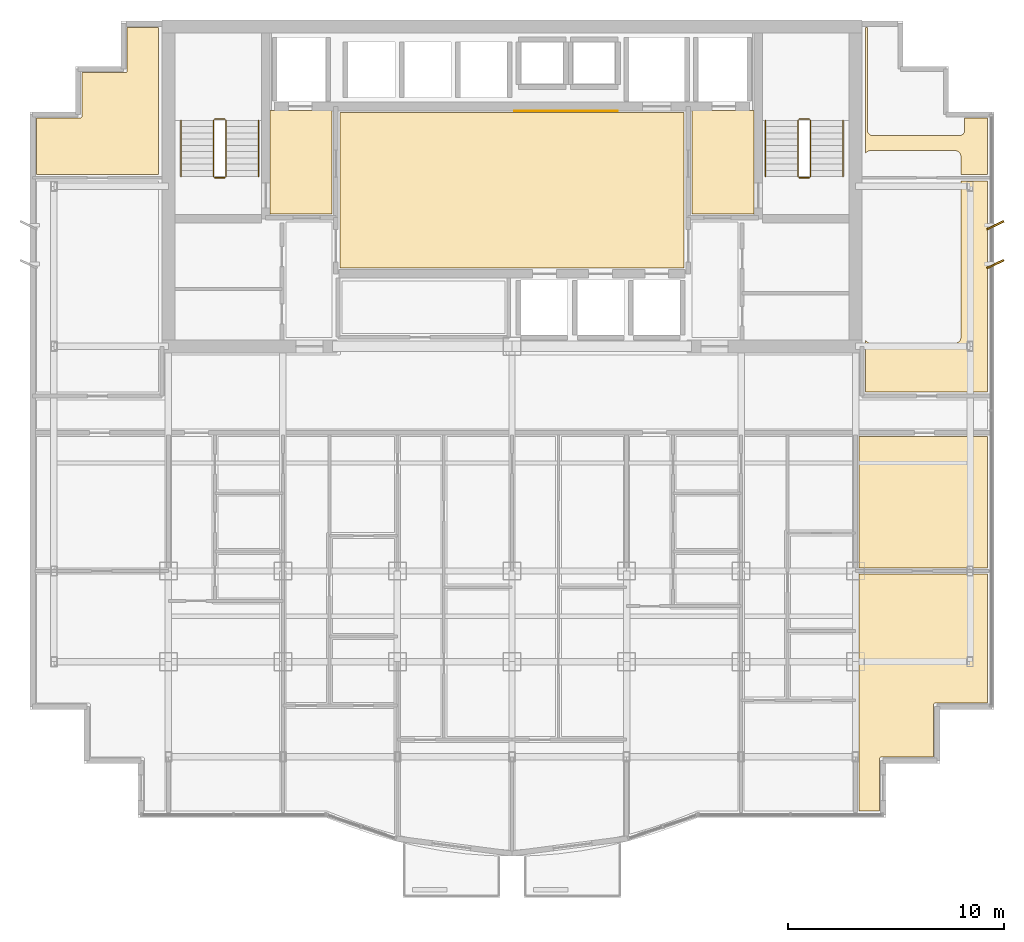
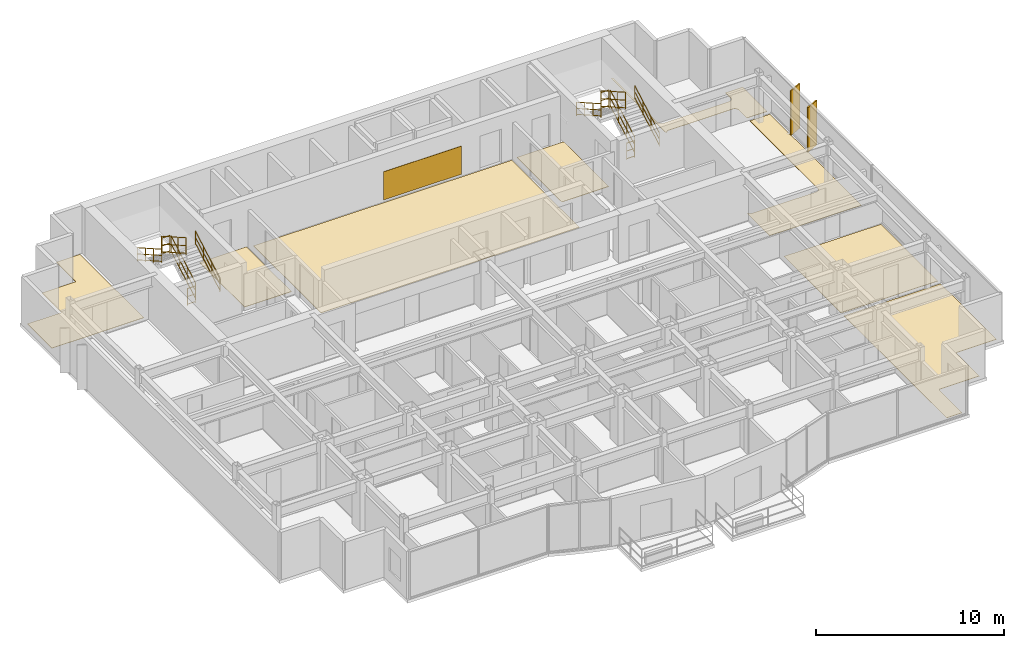
# One storey, part 13 of 13: 12 railings, 9 coverings, 2 shading devices.
"""IFC4 building model written with IfcOpenShell, lengths in metres."""

import ifcopenshell
import ifcopenshell.guid

model = None  # the IFC model being written
_history = None  # IfcOwnerHistory: only IFC2X3 demands one
_inside = {}  # id of a spatial element -> (the spatial element, [elements in it])
_under = {}  # id of a project, library or spatial element -> (it, [spatial elements below it])
_declared = {}  # id of a project -> (the project, [libraries it declares])
_typed = {}  # id of a type object -> (the type object, [elements of that type])
_made_of = {}  # id of a material, layer set ... -> (it, [elements and type objects made of it])


def new_model(schema):
    """Start an empty IFC model of exactly this schema.

    Asked for "IFC4X3", IfcOpenShell would pick the latest addendum, in which some entities
    have other attributes; the version numbers below select the first issue.
    IFC2X3 requires an IfcOwnerHistory on every rooted entity: one is made here for all.
    """
    global model, _history
    if schema == "IFC4X3":
        model = ifcopenshell.file(schema_version=(4, 3, 0, 0))
    else:
        model = ifcopenshell.file(schema=schema)
    _inside.clear()
    _under.clear()
    _declared.clear()
    _typed.clear()
    _made_of.clear()
    _history = None
    if model.schema == "IFC2X3":
        org = make("IfcOrganization", Name="unknown")
        user = make(
            "IfcPersonAndOrganization",
            ThePerson=make("IfcPerson", FamilyName="unknown"),
            TheOrganization=org,
        )
        app = make(
            "IfcApplication",
            ApplicationDeveloper=org,
            Version="unknown",
            ApplicationFullName="unknown",
            ApplicationIdentifier="unknown",
        )
        _history = make(
            "IfcOwnerHistory",
            OwningUser=user,
            OwningApplication=app,
            ChangeAction="ADDED",
            CreationDate=0,
        )
    return model


def make(cls, **values):
    """One entity of the class cls with the attributes given. An attribute that is None is left unset."""
    return model.create_entity(
        cls, **{name: value for name, value in values.items() if value is not None}
    )


def rooted(cls, **values):
    """An entity with a GlobalId (a new one), such as an element, a storey or a relation."""
    return make(cls, GlobalId=ifcopenshell.guid.new(), OwnerHistory=_history, **values)


def si_unit(unit_type, name, prefix=None):
    """IfcSIUnit, for example si_unit("LENGTHUNIT", "METRE", prefix="MILLI")."""
    return make("IfcSIUnit", UnitType=unit_type, Prefix=prefix, Name=name)


def assignment(units):
    """IfcUnitAssignment: the units of a project."""
    return None if units is None else make("IfcUnitAssignment", Units=units)


def point(xyz):
    """IfcCartesianPoint."""
    return None if xyz is None else make("IfcCartesianPoint", Coordinates=xyz)


def direction(xyz):
    """IfcDirection."""
    return None if xyz is None else make("IfcDirection", DirectionRatios=xyz)


def frame(location, z_axis=None, x_axis=None):
    """IfcAxis2Placement3D, a coordinate frame: its origin and axes. An axis left out is left unset."""
    return make(
        "IfcAxis2Placement3D",
        Location=point(location),
        Axis=direction(z_axis),
        RefDirection=direction(x_axis),
    )


def frame_2d(location, x_axis=None):
    """IfcAxis2Placement2D, a coordinate frame in the plane: its origin and x axis."""
    return make(
        "IfcAxis2Placement2D", Location=point(location), RefDirection=direction(x_axis)
    )


def origin():
    """The frame at (0, 0, 0) with its axes left unset."""
    return frame((0.0, 0.0, 0.0))


def origin_2d():
    """The frame at (0, 0) in the plane with its x axis left unset."""
    return frame_2d((0.0, 0.0))


def place(relative_to, where):
    """IfcLocalPlacement: puts the frame where relative to a parent placement (None: the world)."""
    return make(
        "IfcLocalPlacement", PlacementRelTo=relative_to, RelativePlacement=where
    )


def context(
    kind, dimensions, precision=None, world=None, true_north=None, identifier=None
):
    """IfcGeometricRepresentationContext, for example the 3D "Model" context."""
    return make(
        "IfcGeometricRepresentationContext",
        ContextIdentifier=identifier,
        ContextType=kind,
        CoordinateSpaceDimension=dimensions,
        Precision=precision,
        WorldCoordinateSystem=world,
        TrueNorth=true_north,
    )


def subcontext(parent, identifier, kind, view, scale=None):
    """IfcGeometricRepresentationSubContext, for example "Body" below "Model"."""
    return make(
        "IfcGeometricRepresentationSubContext",
        ContextIdentifier=identifier,
        ContextType=kind,
        ParentContext=parent,
        TargetScale=scale,
        TargetView=view,
    )


def project(units=None, contexts=None):
    """IfcProject with its units and contexts."""
    return rooted(
        "IfcProject",
        Name="project",
        RepresentationContexts=contexts,
        UnitsInContext=assignment(units),
    )


def spatial(cls, under=None, at=None, **own):
    """A site, building, storey or space (cls), placed at a placement, below another one or the project."""
    s = rooted(cls, ObjectPlacement=at, **own)
    if under is not None:
        _under.setdefault(under.id(), (under, []))[1].append(s)
    return s


def polyline(points):
    """IfcPolyline through the points."""
    return make("IfcPolyline", Points=[point(p) for p in points])


def profile(cls, at=None, kind="AREA", **sizes):
    """A parametric profile (cls). Its sizes go by their IFC names, for example OverallWidth=200.0."""
    return make(cls, ProfileType=kind, Position=at, **sizes)


def rectangle(**sizes):
    """IfcRectangleProfileDef."""
    return profile("IfcRectangleProfileDef", **sizes)


def circle(**sizes):
    """IfcCircleProfileDef."""
    return profile("IfcCircleProfileDef", **sizes)


def outline(outer, holes=None, kind="AREA"):
    """IfcArbitraryClosedProfileDef: a profile drawn as a closed curve; with holes, ...WithVoids."""
    if holes is None:
        return make("IfcArbitraryClosedProfileDef", ProfileType=kind, OuterCurve=outer)
    return make(
        "IfcArbitraryProfileDefWithVoids",
        ProfileType=kind,
        OuterCurve=outer,
        InnerCurves=holes,
    )


def extrude(swept, where, along, depth):
    """IfcExtrudedAreaSolid: the profile swept, set in the frame where, extruded along a direction by depth."""
    return make(
        "IfcExtrudedAreaSolid",
        SweptArea=swept,
        Position=where,
        ExtrudedDirection=direction(along),
        Depth=depth,
    )


def shape(context_of_items, identifier, shape_type, items):
    """IfcShapeRepresentation: the items that make up one representation, for example the "Body"."""
    return make(
        "IfcShapeRepresentation",
        ContextOfItems=context_of_items,
        RepresentationIdentifier=identifier,
        RepresentationType=shape_type,
        Items=items,
    )


def source(mapping_origin, context_of_items, identifier, shape_type, items):
    """IfcRepresentationMap: a shape defined once, which mapped items show again and again."""
    return make(
        "IfcRepresentationMap",
        MappingOrigin=mapping_origin,
        MappedRepresentation=shape(context_of_items, identifier, shape_type, items),
    )


def transform(
    local_origin,
    x_axis=None,
    y_axis=None,
    z_axis=None,
    scale=None,
    scale2=None,
    scale3=None,
    uniform=True,
):
    """IfcCartesianTransformationOperator3D, or its non-uniform kind. x_axis, y_axis, z_axis: its Axis1, 2, 3."""
    if uniform:
        return make(
            "IfcCartesianTransformationOperator3D",
            Axis1=direction(x_axis),
            Axis2=direction(y_axis),
            LocalOrigin=point(local_origin),
            Scale=scale,
            Axis3=direction(z_axis),
        )
    return make(
        "IfcCartesianTransformationOperator3DnonUniform",
        Axis1=direction(x_axis),
        Axis2=direction(y_axis),
        LocalOrigin=point(local_origin),
        Scale=scale,
        Axis3=direction(z_axis),
        Scale2=scale2,
        Scale3=scale3,
    )


def mapped(mapping_source, mapping_target):
    """IfcMappedItem: shows the shape of a source again, moved by a transform."""
    return make(
        "IfcMappedItem", MappingSource=mapping_source, MappingTarget=mapping_target
    )


def material(Name=None, Category=None):
    """IfcMaterial."""
    return make("IfcMaterial", Name=Name, Category=Category)


def layer(
    of_material, thickness, ventilated=None, Name=None, Category=None, Priority=None
):
    """IfcMaterialLayer: one layer of a wall or slab, of a material (None: an air gap)."""
    return make(
        "IfcMaterialLayer",
        Material=of_material,
        LayerThickness=thickness,
        IsVentilated=ventilated,
        Name=Name,
        Category=Category,
        Priority=Priority,
    )


def layer_set(layers, Name=None):
    """IfcMaterialLayerSet."""
    return make("IfcMaterialLayerSet", MaterialLayers=layers, LayerSetName=Name)


def made_of(thing, what):
    """Note that an element or type object is made of a material, layer set ...; save() writes the relation."""
    if what is not None:
        _made_of.setdefault(what.id(), (what, []))[1].append(thing)
    return thing


def type_object(cls, material=None, **own):
    """A type object (cls), such as IfcWallType, which elements share."""
    return made_of(rooted(cls, **own), material)


def element(
    cls,
    number,
    at=None,
    inside=None,
    cuts=None,
    type_object=None,
    material=None,
    context=None,
    identifier="Body",
    shape_type=None,
    held_by="IfcProductDefinitionShape",
    body=None,
    shapes=None,
    **own,
):
    """One element of the class cls, such as IfcWall. Its Tag is "e" and its number.

    at: its placement. inside: the storey or other place that contains it. cuts: it is an
    opening in that element (IfcRelVoidsElement). A single representation is given by context,
    identifier, shape_type and body (its items); several are given by shapes. held_by: the class
    of the entity that holds the representations. save() writes the other relations.
    """
    e = rooted(cls, Tag="e%d" % number, ObjectPlacement=at, **own)
    if body is not None:
        shapes = [shape(context, identifier, shape_type, body)]
    if shapes is not None:
        e.Representation = make(held_by, Representations=shapes)
    if inside is not None:
        _inside.setdefault(inside.id(), (inside, []))[1].append(e)
    if cuts is not None:
        rooted(
            "IfcRelVoidsElement", RelatingBuildingElement=cuts, RelatedOpeningElement=e
        )
    if type_object is not None:
        _typed.setdefault(type_object.id(), (type_object, []))[1].append(e)
    return made_of(e, material)


def aggregate(whole, parts):
    """IfcRelAggregates: a whole, such as a stair, and the parts it consists of."""
    return rooted("IfcRelAggregates", RelatingObject=whole, RelatedObjects=parts)


def save(model, path):
    """Write the relations noted so far, then the file.

    IfcRelAggregates (storeys below a building ...), IfcRelContainedInSpatialStructure (elements
    in a storey), IfcRelDefinesByType, IfcRelAssociatesMaterial and IfcRelDeclares: one each for
    every whole, place, type object, material and project.
    """
    for whole, parts in _under.values():
        aggregate(whole, parts)
    for where, things in _inside.values():
        rooted(
            "IfcRelContainedInSpatialStructure",
            RelatedElements=things,
            RelatingStructure=where,
        )
    for kind, things in _typed.values():
        rooted("IfcRelDefinesByType", RelatedObjects=things, RelatingType=kind)
    for what, things in _made_of.values():
        rooted("IfcRelAssociatesMaterial", RelatedObjects=things, RelatingMaterial=what)
    for by, libraries in _declared.values():
        rooted("IfcRelDeclares", RelatingContext=by, RelatedDefinitions=libraries)
    model.write(path)


model = new_model("IFC4")

# Units and contexts
model_context = context("Model", 3, precision=1e-05, world=origin(), true_north=direction((0.0, 1.0)))
body_context = subcontext(model_context, "Body", "Model", "MODEL_VIEW")
ifc_project = project(units=[si_unit("LENGTHUNIT", "METRE"), si_unit("AREAUNIT", "SQUARE_METRE"), si_unit("VOLUMEUNIT", "CUBIC_METRE"), si_unit("PLANEANGLEUNIT", "RADIAN"), si_unit("MASSUNIT", "GRAM", prefix="KILO")], contexts=[model_context])

# Site, building, storey
site_placement = place(None, origin())
site = spatial("IfcSite", under=ifc_project, at=site_placement, CompositionType="ELEMENT")
building_placement = place(site_placement, origin())
building = spatial("IfcBuilding", under=site, at=building_placement, Name="Qianlan Lanfeng Residences", CompositionType="ELEMENT")
storey_placement = place(building_placement, frame((0.0, 0.0, 178.800048828125)))
storey = spatial("IfcBuildingStorey", under=building, at=storey_placement, Name="L49", CompositionType="ELEMENT", Elevation=178.800048828125)

# Coverings
ifc_material_1 = material(Name="Anodised Bronze Feature Wall Cladding")
ifc_layer_1 = layer(ifc_material_1, 0.02490234375)
ifc_layer_set_1 = layer_set([ifc_layer_1], Name="Anodised Bronze Feature Wall Cladding")
covering_type_1 = type_object("IfcCoveringType", Name="CLD-BRZ-25", PredefinedType="CLADDING", material=ifc_layer_set_1)
covering_1_placement = place(storey_placement, frame((0.0, 0.0, 0.14990234375)))
element("IfcCovering", 1, at=covering_1_placement, inside=storey, type_object=covering_type_1, Name="L49 Lift Lobby Bronze Feature Cladding", PredefinedType="CLADDING", context=body_context, shape_type="SweptSolid", body=[
    extrude(outline(polyline([(26.60009765625, 36.074951171875), (31.39990234375, 36.074951171875), (31.39990234375, 36.10009765625), (26.60009765625, 36.10009765625), (26.60009765625, 36.074951171875)])), origin(), (0.0, 0.0, 1.0), 1.830078125),
])
ifc_material_2 = material(Name="Honed Taitung Granite Stone Flooring", Category="masonry")
ifc_layer_2 = layer(ifc_material_2, 0.030029296875)
ifc_layer_set_2 = layer_set([ifc_layer_2], Name="Honed Taitung Granite Stone Flooring")
covering_type_2 = type_object("IfcCoveringType", Name="FLR-STN-30", PredefinedType="FLOORING", material=ifc_layer_set_2)
covering_2_placement = place(storey_placement, origin())
element("IfcCovering", 2, at=covering_2_placement, inside=storey, type_object=covering_type_2, Name="L49 Firefighting Lift Lobby Floor Finish", PredefinedType="FLOORING", context=body_context, shape_type="SweptSolid", body=[
    extrude(outline(polyline([(15.2900390625, 31.320068359375), (18.179931640625, 31.320068359375), (18.179931640625, 36.110107421875), (15.2900390625, 36.110107421875), (15.2900390625, 31.320068359375)])), origin(), (0.0, 0.0, 1.0), 0.030029296875),
])
covering_3_placement = place(storey_placement, origin())
element("IfcCovering", 3, at=covering_3_placement, inside=storey, type_object=covering_type_2, Name="L49 Firefighting Lift Lobby Floor Finish", PredefinedType="FLOORING", context=body_context, shape_type="SweptSolid", body=[
    extrude(outline(polyline([(34.820068359375, 31.320068359375), (37.7099609375, 31.320068359375), (37.7099609375, 36.110107421875), (34.820068359375, 36.110107421875), (34.820068359375, 31.320068359375)])), origin(), (0.0, 0.0, 1.0), 0.030029296875),
])
covering_4_placement = place(storey_placement, origin())
element("IfcCovering", 4, at=covering_4_placement, inside=storey, type_object=covering_type_2, Name="L49 Lift Lobby Floor Finish", PredefinedType="FLOORING", context=body_context, shape_type="SweptSolid", body=[
    extrude(outline(polyline([(18.550048828125, 28.820068359375), (34.449951171875, 28.820068359375), (34.449951171875, 36.010009765625), (18.550048828125, 36.010009765625), (18.550048828125, 28.820068359375)])), origin(), (0.0, 0.0, 1.0), 0.030029296875),
])
ifc_material_3 = material(Name="Engineered Smoked Oak Timber Flooring", Category="wood")
ifc_layer_3 = layer(ifc_material_3, 0.02197265625)
ifc_layer_set_3 = layer_set([ifc_layer_3], Name="Engineered Smoked Oak Timber Flooring")
covering_type_3 = type_object("IfcCoveringType", Name="FLR-TIM-22", PredefinedType="FLOORING", material=ifc_layer_set_3)
covering_5_placement = place(storey_placement, origin())
element("IfcCovering", 5, at=covering_5_placement, inside=storey, type_object=covering_type_3, Name="L49 Sunroom Floor Finish", PredefinedType="FLOORING", context=body_context, shape_type="SweptSolid", body=[
    extrude(outline(polyline([(48.510009765625, 14.64990234375), (42.56005859375, 14.64990234375), (42.56005859375, 3.68994140625), (43.510009765625, 3.68994140625), (43.510009765625, 6.1201171875), (43.510009765625, 6.126953125), (43.510986328125, 6.134033203125), (43.512939453125, 6.139892578125), (43.514892578125, 6.14697265625), (43.51806640625, 6.153076171875), (43.52197265625, 6.158935546875), (43.52587890625, 6.1640625), (43.531005859375, 6.1689453125), (43.535888671875, 6.174072265625), (43.541015625, 6.177978515625), (43.547119140625, 6.181884765625), (43.552978515625, 6.18505859375), (43.56005859375, 6.18701171875), (43.56591796875, 6.18896484375), (43.572998046875, 6.18994140625), (43.580078125, 6.18994140625), (46.010009765625, 6.18994140625), (46.010009765625, 8.6201171875), (46.010009765625, 8.626953125), (46.010986328125, 8.634033203125), (46.012939453125, 8.639892578125), (46.014892578125, 8.64697265625), (46.01806640625, 8.653076171875), (46.02197265625, 8.658935546875), (46.02587890625, 8.6640625), (46.031005859375, 8.6689453125), (46.035888671875, 8.674072265625), (46.041015625, 8.677978515625), (46.047119140625, 8.681884765625), (46.052978515625, 8.68505859375), (46.06005859375, 8.68701171875), (46.06591796875, 8.68896484375), (46.072998046875, 8.68994140625), (46.080078125, 8.68994140625), (48.510009765625, 8.68994140625), (48.510009765625, 14.64990234375)])), origin(), (0.0, 0.0, 1.0), 0.02197265625),
])
covering_6_placement = place(storey_placement, origin())
element("IfcCovering", 6, at=covering_6_placement, inside=storey, type_object=covering_type_3, Name="L49 Private Study Floor Finish", PredefinedType="FLOORING", context=body_context, shape_type="SweptSolid", body=[
    extrude(outline(polyline([(48.510009765625, 21.030029296875), (42.56005859375, 21.030029296875), (42.56005859375, 14.949951171875), (48.510009765625, 14.949951171875), (48.510009765625, 21.030029296875)])), origin(), (0.0, 0.0, 1.0), 0.02197265625),
])
covering_7_placement = place(storey_placement, origin())
element("IfcCovering", 7, at=covering_7_placement, inside=storey, type_object=covering_type_3, Name="L49 Resident Lounge Floor Finish", PredefinedType="FLOORING", context=body_context, shape_type="SweptSolid", body=[
    extrude(outline(polyline([(4.489990234375, 33.14990234375), (10.14990234375, 33.14990234375), (10.14990234375, 39.9599609375), (8.68994140625, 39.9599609375), (8.68994140625, 37.929931640625), (8.68994140625, 37.923095703125), (8.68896484375, 37.916015625), (8.68701171875, 37.909912109375), (8.68505859375, 37.903076171875), (8.681884765625, 37.89697265625), (8.677978515625, 37.89111328125), (8.674072265625, 37.885986328125), (8.6689453125, 37.881103515625), (8.6640625, 37.8759765625), (8.658935546875, 37.8720703125), (8.653076171875, 37.867919921875), (8.64697265625, 37.864990234375), (8.639892578125, 37.863037109375), (8.634033203125, 37.861083984375), (8.626953125, 37.860107421875), (8.6201171875, 37.860107421875), (6.590087890625, 37.860107421875), (6.590087890625, 35.830078125), (6.590087890625, 35.822998046875), (6.589111328125, 35.81591796875), (6.5869140625, 35.81005859375), (6.5849609375, 35.802978515625), (6.58203125, 35.797119140625), (6.577880859375, 35.791015625), (6.573974609375, 35.785888671875), (6.569091796875, 35.781005859375), (6.56396484375, 35.77587890625), (6.55908203125, 35.77197265625), (6.552978515625, 35.76806640625), (6.547119140625, 35.764892578125), (6.5400390625, 35.762939453125), (6.533935546875, 35.760986328125), (6.527099609375, 35.760009765625), (6.52001953125, 35.760009765625), (4.489990234375, 35.760009765625), (4.489990234375, 33.14990234375)])), origin(), (0.0, 0.0, 1.0), 0.02197265625),
])
covering_8_placement = place(storey_placement, origin())
element("IfcCovering", 8, at=covering_8_placement, inside=storey, type_object=covering_type_3, Name="L49 Conservatory Salon Floor Finish", PredefinedType="FLOORING", context=body_context, shape_type="SweptSolid", body=[
    extrude(outline(polyline([(48.510009765625, 32.85009765625), (47.27001953125, 32.85009765625), (47.27001953125, 25.60009765625), (47.26904296875, 25.574951171875), (47.264892578125, 25.551025390625), (47.259033203125, 25.527099609375), (47.2509765625, 25.50390625), (47.239990234375, 25.48193359375), (47.22802734375, 25.4609375), (47.212890625, 25.44091796875), (47.197021484375, 25.423095703125), (47.178955078125, 25.406982421875), (47.158935546875, 25.39208984375), (47.137939453125, 25.3798828125), (47.115966796875, 25.368896484375), (47.093017578125, 25.361083984375), (47.069091796875, 25.35498046875), (47.044921875, 25.35107421875), (47.02001953125, 25.35009765625), (43.080078125, 25.35009765625), (43.054931640625, 25.35107421875), (43.031005859375, 25.35498046875), (43.007080078125, 25.361083984375), (42.98388671875, 25.368896484375), (42.9619140625, 25.3798828125), (42.94091796875, 25.39208984375), (42.9208984375, 25.406982421875), (42.903076171875, 25.423095703125), (42.886962890625, 25.44091796875), (42.8720703125, 25.4609375), (42.860107421875, 25.48193359375), (42.85009765625, 25.501953125), (42.85009765625, 23.080078125), (48.510009765625, 23.080078125), (48.510009765625, 32.85009765625)])), origin(), (0.0, 0.0, 1.0), 0.02197265625),
])
covering_9_placement = place(storey_placement, origin())
element("IfcCovering", 9, at=covering_9_placement, inside=storey, type_object=covering_type_3, Name="L49 Resident Lounge Floor Finish", PredefinedType="FLOORING", context=body_context, shape_type="SweptSolid", body=[
    extrude(outline(polyline([(42.85009765625, 34.097900390625), (42.860107421875, 34.117919921875), (42.8720703125, 34.138916015625), (42.886962890625, 34.158935546875), (42.903076171875, 34.177001953125), (42.9208984375, 34.193115234375), (42.94091796875, 34.2080078125), (42.9619140625, 34.219970703125), (42.98388671875, 34.23095703125), (43.007080078125, 34.239013671875), (43.031005859375, 34.2451171875), (43.054931640625, 34.2490234375), (43.080078125, 34.25), (47.02001953125, 34.25), (47.044921875, 34.2490234375), (47.069091796875, 34.2451171875), (47.093017578125, 34.239013671875), (47.115966796875, 34.23095703125), (47.137939453125, 34.219970703125), (47.158935546875, 34.2080078125), (47.178955078125, 34.193115234375), (47.197021484375, 34.177001953125), (47.212890625, 34.158935546875), (47.22802734375, 34.138916015625), (47.239990234375, 34.117919921875), (47.2509765625, 34.095947265625), (47.259033203125, 34.072998046875), (47.264892578125, 34.049072265625), (47.26904296875, 34.02490234375), (47.27001953125, 34.0), (47.27001953125, 33.14990234375), (48.510009765625, 33.14990234375), (48.510009765625, 35.760009765625), (47.449951171875, 35.760009765625), (47.449951171875, 35.199951171875), (47.448974609375, 35.175048828125), (47.445068359375, 35.15087890625), (47.43896484375, 35.126953125), (47.430908203125, 35.10400390625), (47.419921875, 35.08203125), (47.407958984375, 35.06103515625), (47.39306640625, 35.041015625), (47.376953125, 35.02294921875), (47.35888671875, 35.007080078125), (47.339111328125, 34.991943359375), (47.318115234375, 34.97998046875), (47.2958984375, 34.968994140625), (47.27294921875, 34.9609375), (47.2490234375, 34.955078125), (47.22509765625, 34.950927734375), (47.199951171875, 34.949951171875), (43.199951171875, 34.949951171875), (43.175048828125, 34.950927734375), (43.15087890625, 34.955078125), (43.126953125, 34.9609375), (43.10400390625, 34.968994140625), (43.08203125, 34.97998046875), (43.06103515625, 34.991943359375), (43.041015625, 35.007080078125), (43.02294921875, 35.02294921875), (43.007080078125, 35.041015625), (42.991943359375, 35.06103515625), (42.97998046875, 35.08203125), (42.968994140625, 35.10400390625), (42.9609375, 35.126953125), (42.955078125, 35.15087890625), (42.950927734375, 35.175048828125), (42.949951171875, 35.199951171875), (42.949951171875, 39.9599609375), (42.85009765625, 39.9599609375), (42.85009765625, 34.097900390625)])), origin(), (0.0, 0.0, 1.0), 0.02197265625),
])

# Railings
ifc_material_4 = material(Name="Painted Galvanised Steel Guardrail", Category="steel")
railing_type_1 = type_object("IfcRailingType", Name="GR-ST-1120", PredefinedType="GUARDRAIL", material=ifc_material_4)
railing_1_placement = place(storey_placement, frame((13.27001953125, 33.050048828125, 0.1650390625)))
element("IfcRailing", 10, at=railing_1_placement, inside=storey, type_object=railing_type_1, Name="L49 ST-1 stair guard 1", PredefinedType="GUARDRAIL", context=body_context, shape_type="SweptSolid", body=[
    extrude(circle(Radius=0.02392578125, at=origin_2d()), frame((0.0, 0.0, 0.083984375), z_axis=(0.0, 0.869172267526, 0.494509422927), x_axis=(-1.0, 0.0, 0.0)), (0.0, 0.0, 1.0), 3.002685546875),
    extrude(circle(Radius=0.02392578125, at=origin_2d()), frame((0.0, 0.0, 0.58251953125), z_axis=(0.0, 0.869172267526, 0.494509422927), x_axis=(-1.0, 0.0, 0.0)), (0.0, 0.0, 1.0), 3.002685546875),
    extrude(circle(Radius=0.02392578125, at=origin_2d()), frame((0.0, 0.0, 1.09619140625), z_axis=(0.0, 0.869172267526, 0.494509422927), x_axis=(-1.0, 0.0, 0.0)), (0.0, 0.0, 1.0), 3.002685546875),
    extrude(circle(Radius=0.02099609375, at=origin_2d()), origin(), (0.0, 0.0, 1.0), 1.072021484375),
    extrude(circle(Radius=0.02099609375, at=origin_2d()), frame((0.0, 0.869873046875, 0.494873046875)), (0.0, 0.0, 1.0), 1.072021484375),
    extrude(circle(Radius=0.02099609375, at=origin_2d()), frame((0.0, 1.739990234375, 0.989990234375)), (0.0, 0.0, 1.0), 1.072021484375),
    extrude(circle(Radius=0.02099609375, at=origin_2d()), frame((0.0, 2.60986328125, 1.48486328125)), (0.0, 0.0, 1.0), 1.072021484375),
])
railing_2_placement = place(storey_placement, frame((13.219970703125, 35.7099609375, 1.64990234375)))
element("IfcRailing", 11, at=railing_2_placement, inside=storey, type_object=railing_type_1, Name="L49 ST-1 stair guard 2", PredefinedType="GUARDRAIL", context=body_context, shape_type="SweptSolid", body=[
    extrude(circle(Radius=0.02392578125, at=origin_2d()), frame((0.0, 0.0, 0.083984375), z_axis=(-1.0, 0.0, 0.0), x_axis=(0.0, -1.0, 0.0)), (0.0, 0.0, 1.0), 0.47998046875),
    extrude(circle(Radius=0.02392578125, at=origin_2d()), frame((0.0, 0.0, 0.58251953125), z_axis=(-1.0, 0.0, 0.0), x_axis=(0.0, -1.0, 0.0)), (0.0, 0.0, 1.0), 0.47998046875),
    extrude(circle(Radius=0.02392578125, at=origin_2d()), frame((0.0, 0.0, 1.09619140625), z_axis=(-1.0, 0.0, 0.0), x_axis=(0.0, -1.0, 0.0)), (0.0, 0.0, 1.0), 0.47998046875),
    extrude(circle(Radius=0.02099609375, at=origin_2d()), origin(), (0.0, 0.0, 1.0), 1.072021484375),
    extrude(circle(Radius=0.02099609375, at=origin_2d()), frame((-0.47998046875, 0.0, 0.0)), (0.0, 0.0, 1.0), 1.072021484375),
])
railing_3_placement = place(storey_placement, frame((12.68994140625, 35.659912109375, 1.81494140625)))
element("IfcRailing", 12, at=railing_3_placement, inside=storey, type_object=railing_type_1, Name="L49 ST-1 stair guard 3", PredefinedType="GUARDRAIL", context=body_context, shape_type="SweptSolid", body=[
    extrude(circle(Radius=0.02392578125, at=origin_2d()), frame((0.0, 0.0, 0.083984375), z_axis=(0.0, -0.869137319866, 0.494570843475), x_axis=(1.0, 0.0, 0.0)), (0.0, 0.0, 1.0), 3.0029296875),
    extrude(circle(Radius=0.02392578125, at=origin_2d()), frame((0.0, 0.0, 0.58251953125), z_axis=(0.0, -0.869137319866, 0.494570843475), x_axis=(1.0, 0.0, 0.0)), (0.0, 0.0, 1.0), 3.0029296875),
    extrude(circle(Radius=0.02392578125, at=origin_2d()), frame((0.0, 0.0, 1.09619140625), z_axis=(0.0, -0.869137319866, 0.494570843475), x_axis=(1.0, 0.0, 0.0)), (0.0, 0.0, 1.0), 3.0029296875),
    extrude(circle(Radius=0.02099609375, at=origin_2d()), origin(), (0.0, 0.0, 1.0), 1.072021484375),
    extrude(circle(Radius=0.02099609375, at=origin_2d()), frame((0.0, -0.869873046875, 0.4951171875)), (0.0, 0.0, 1.0), 1.072021484375),
    extrude(circle(Radius=0.02099609375, at=origin_2d()), frame((0.0, -1.739990234375, 0.989990234375)), (0.0, 0.0, 1.0), 1.072021484375),
    extrude(circle(Radius=0.02099609375, at=origin_2d()), frame((0.0, -2.60986328125, 1.485107421875)), (0.0, 0.0, 1.0), 1.072021484375),
])
railing_4_placement = place(storey_placement, frame((13.219970703125, 33.0, 0.0)))
element("IfcRailing", 13, at=railing_4_placement, inside=storey, type_object=railing_type_1, Name="L49 ST-1 stair guard 4", PredefinedType="GUARDRAIL", context=body_context, shape_type="SweptSolid", body=[
    extrude(circle(Radius=0.02392578125, at=origin_2d()), frame((0.0, 0.0, 0.083984375), z_axis=(-1.0, 0.0, 0.0), x_axis=(0.0, -1.0, 0.0)), (0.0, 0.0, 1.0), 0.47998046875),
    extrude(circle(Radius=0.02392578125, at=origin_2d()), frame((0.0, 0.0, 0.58251953125), z_axis=(-1.0, 0.0, 0.0), x_axis=(0.0, -1.0, 0.0)), (0.0, 0.0, 1.0), 0.47998046875),
    extrude(circle(Radius=0.02392578125, at=origin_2d()), frame((0.0, 0.0, 1.09619140625), z_axis=(-1.0, 0.0, 0.0), x_axis=(0.0, -1.0, 0.0)), (0.0, 0.0, 1.0), 0.47998046875),
    extrude(circle(Radius=0.02099609375, at=origin_2d()), origin(), (0.0, 0.0, 1.0), 1.072021484375),
    extrude(circle(Radius=0.02099609375, at=origin_2d()), frame((-0.47998046875, 0.0, 0.0)), (0.0, 0.0, 1.0), 1.072021484375),
])
railing_5_placement = place(storey_placement, frame((40.31005859375, 33.050048828125, 0.1650390625)))
element("IfcRailing", 14, at=railing_5_placement, inside=storey, type_object=railing_type_1, Name="L49 ST-2 stair guard 1", PredefinedType="GUARDRAIL", context=body_context, shape_type="SweptSolid", body=[
    extrude(circle(Radius=0.02392578125, at=origin_2d()), frame((0.0, 0.0, 0.083984375), z_axis=(0.0, 0.869172267526, 0.494509422927), x_axis=(-1.0, 0.0, 0.0)), (0.0, 0.0, 1.0), 3.002685546875),
    extrude(circle(Radius=0.02392578125, at=origin_2d()), frame((0.0, 0.0, 0.58251953125), z_axis=(0.0, 0.869172267526, 0.494509422927), x_axis=(-1.0, 0.0, 0.0)), (0.0, 0.0, 1.0), 3.002685546875),
    extrude(circle(Radius=0.02392578125, at=origin_2d()), frame((0.0, 0.0, 1.09619140625), z_axis=(0.0, 0.869172267526, 0.494509422927), x_axis=(-1.0, 0.0, 0.0)), (0.0, 0.0, 1.0), 3.002685546875),
    extrude(circle(Radius=0.02099609375, at=origin_2d()), origin(), (0.0, 0.0, 1.0), 1.072021484375),
    extrude(circle(Radius=0.02099609375, at=origin_2d()), frame((0.0, 0.869873046875, 0.494873046875)), (0.0, 0.0, 1.0), 1.072021484375),
    extrude(circle(Radius=0.02099609375, at=origin_2d()), frame((0.0, 1.739990234375, 0.989990234375)), (0.0, 0.0, 1.0), 1.072021484375),
    extrude(circle(Radius=0.02099609375, at=origin_2d()), frame((0.0, 2.60986328125, 1.48486328125)), (0.0, 0.0, 1.0), 1.072021484375),
])
railing_6_placement = place(storey_placement, frame((40.260009765625, 35.7099609375, 1.64990234375)))
element("IfcRailing", 15, at=railing_6_placement, inside=storey, type_object=railing_type_1, Name="L49 ST-2 stair guard 2", PredefinedType="GUARDRAIL", context=body_context, shape_type="SweptSolid", body=[
    extrude(circle(Radius=0.02392578125, at=origin_2d()), frame((0.0, 0.0, 0.083984375), z_axis=(-1.0, 0.0, 0.0), x_axis=(0.0, -1.0, 0.0)), (0.0, 0.0, 1.0), 0.47998046875),
    extrude(circle(Radius=0.02392578125, at=origin_2d()), frame((0.0, 0.0, 0.58251953125), z_axis=(-1.0, 0.0, 0.0), x_axis=(0.0, -1.0, 0.0)), (0.0, 0.0, 1.0), 0.47998046875),
    extrude(circle(Radius=0.02392578125, at=origin_2d()), frame((0.0, 0.0, 1.09619140625), z_axis=(-1.0, 0.0, 0.0), x_axis=(0.0, -1.0, 0.0)), (0.0, 0.0, 1.0), 0.47998046875),
    extrude(circle(Radius=0.02099609375, at=origin_2d()), origin(), (0.0, 0.0, 1.0), 1.072021484375),
    extrude(circle(Radius=0.02099609375, at=origin_2d()), frame((-0.47998046875, 0.0, 0.0)), (0.0, 0.0, 1.0), 1.072021484375),
])
railing_7_placement = place(storey_placement, frame((39.72998046875, 35.659912109375, 1.81494140625)))
element("IfcRailing", 16, at=railing_7_placement, inside=storey, type_object=railing_type_1, Name="L49 ST-2 stair guard 3", PredefinedType="GUARDRAIL", context=body_context, shape_type="SweptSolid", body=[
    extrude(circle(Radius=0.02392578125, at=origin_2d()), frame((0.0, 0.0, 0.083984375), z_axis=(0.0, -0.869137319866, 0.494570843475), x_axis=(1.0, 0.0, 0.0)), (0.0, 0.0, 1.0), 3.0029296875),
    extrude(circle(Radius=0.02392578125, at=origin_2d()), frame((0.0, 0.0, 0.58251953125), z_axis=(0.0, -0.869137319866, 0.494570843475), x_axis=(1.0, 0.0, 0.0)), (0.0, 0.0, 1.0), 3.0029296875),
    extrude(circle(Radius=0.02392578125, at=origin_2d()), frame((0.0, 0.0, 1.09619140625), z_axis=(0.0, -0.869137319866, 0.494570843475), x_axis=(1.0, 0.0, 0.0)), (0.0, 0.0, 1.0), 3.0029296875),
    extrude(circle(Radius=0.02099609375, at=origin_2d()), origin(), (0.0, 0.0, 1.0), 1.072021484375),
    extrude(circle(Radius=0.02099609375, at=origin_2d()), frame((0.0, -0.869873046875, 0.4951171875)), (0.0, 0.0, 1.0), 1.072021484375),
    extrude(circle(Radius=0.02099609375, at=origin_2d()), frame((0.0, -1.739990234375, 0.989990234375)), (0.0, 0.0, 1.0), 1.072021484375),
    extrude(circle(Radius=0.02099609375, at=origin_2d()), frame((0.0, -2.60986328125, 1.485107421875)), (0.0, 0.0, 1.0), 1.072021484375),
])
railing_8_placement = place(storey_placement, frame((40.260009765625, 33.0, 0.0)))
element("IfcRailing", 17, at=railing_8_placement, inside=storey, type_object=railing_type_1, Name="L49 ST-2 stair guard 4", PredefinedType="GUARDRAIL", context=body_context, shape_type="SweptSolid", body=[
    extrude(circle(Radius=0.02392578125, at=origin_2d()), frame((0.0, 0.0, 0.083984375), z_axis=(-1.0, 0.0, 0.0), x_axis=(0.0, -1.0, 0.0)), (0.0, 0.0, 1.0), 0.47998046875),
    extrude(circle(Radius=0.02392578125, at=origin_2d()), frame((0.0, 0.0, 0.58251953125), z_axis=(-1.0, 0.0, 0.0), x_axis=(0.0, -1.0, 0.0)), (0.0, 0.0, 1.0), 0.47998046875),
    extrude(circle(Radius=0.02392578125, at=origin_2d()), frame((0.0, 0.0, 1.09619140625), z_axis=(-1.0, 0.0, 0.0), x_axis=(0.0, -1.0, 0.0)), (0.0, 0.0, 1.0), 0.47998046875),
    extrude(circle(Radius=0.02099609375, at=origin_2d()), origin(), (0.0, 0.0, 1.0), 1.072021484375),
    extrude(circle(Radius=0.02099609375, at=origin_2d()), frame((-0.47998046875, 0.0, 0.0)), (0.0, 0.0, 1.0), 1.072021484375),
])
ifc_material_5 = material(Name="Brushed Stainless Steel Handrail", Category="steel")
railing_type_2 = type_object("IfcRailingType", Name="HR-ST-920", PredefinedType="HANDRAIL", material=ifc_material_5)
railing_9_placement = place(storey_placement, frame((14.77001953125, 33.050048828125, 0.1650390625)))
element("IfcRailing", 18, at=railing_9_placement, inside=storey, type_object=railing_type_2, Name="L49 ST-1 stair handrail 1", PredefinedType="HANDRAIL", context=body_context, shape_type="SweptSolid", body=[
    extrude(circle(Radius=0.02392578125, at=origin_2d()), frame((0.0, 0.0, 0.083984375), z_axis=(0.0, 0.869172267526, 0.494509422927), x_axis=(-1.0, 0.0, 0.0)), (0.0, 0.0, 1.0), 3.002685546875),
    extrude(circle(Radius=0.02392578125, at=origin_2d()), frame((0.0, 0.0, 0.468017578125), z_axis=(0.0, 0.869172267526, 0.494509422927), x_axis=(-1.0, 0.0, 0.0)), (0.0, 0.0, 1.0), 3.002685546875),
    extrude(circle(Radius=0.02392578125, at=origin_2d()), frame((0.0, 0.0, 0.8759765625), z_axis=(0.0, 0.869172267526, 0.494509422927), x_axis=(-1.0, 0.0, 0.0)), (0.0, 0.0, 1.0), 3.002685546875),
    extrude(circle(Radius=0.02099609375, at=origin_2d()), origin(), (0.0, 0.0, 1.0), 0.851806640625),
    extrude(circle(Radius=0.02099609375, at=origin_2d()), frame((0.0, 0.869873046875, 0.494873046875)), (0.0, 0.0, 1.0), 0.851806640625),
    extrude(circle(Radius=0.02099609375, at=origin_2d()), frame((0.0, 1.739990234375, 0.989990234375)), (0.0, 0.0, 1.0), 0.851806640625),
    extrude(circle(Radius=0.02099609375, at=origin_2d()), frame((0.0, 2.60986328125, 1.48486328125)), (0.0, 0.0, 1.0), 0.851806640625),
])
railing_10_placement = place(storey_placement, frame((11.18994140625, 35.659912109375, 1.81494140625)))
element("IfcRailing", 19, at=railing_10_placement, inside=storey, type_object=railing_type_2, Name="L49 ST-1 stair handrail 2", PredefinedType="HANDRAIL", context=body_context, shape_type="SweptSolid", body=[
    extrude(circle(Radius=0.02392578125, at=origin_2d()), frame((0.0, 0.0, 0.083984375), z_axis=(0.0, -0.869137319866, 0.494570843475), x_axis=(1.0, 0.0, 0.0)), (0.0, 0.0, 1.0), 3.0029296875),
    extrude(circle(Radius=0.02392578125, at=origin_2d()), frame((0.0, 0.0, 0.468017578125), z_axis=(0.0, -0.869137319866, 0.494570843475), x_axis=(1.0, 0.0, 0.0)), (0.0, 0.0, 1.0), 3.0029296875),
    extrude(circle(Radius=0.02392578125, at=origin_2d()), frame((0.0, 0.0, 0.8759765625), z_axis=(0.0, -0.869137319866, 0.494570843475), x_axis=(1.0, 0.0, 0.0)), (0.0, 0.0, 1.0), 3.0029296875),
    extrude(circle(Radius=0.02099609375, at=origin_2d()), origin(), (0.0, 0.0, 1.0), 0.851806640625),
    extrude(circle(Radius=0.02099609375, at=origin_2d()), frame((0.0, -0.869873046875, 0.4951171875)), (0.0, 0.0, 1.0), 0.851806640625),
    extrude(circle(Radius=0.02099609375, at=origin_2d()), frame((0.0, -1.739990234375, 0.989990234375)), (0.0, 0.0, 1.0), 0.851806640625),
    extrude(circle(Radius=0.02099609375, at=origin_2d()), frame((0.0, -2.60986328125, 1.485107421875)), (0.0, 0.0, 1.0), 0.851806640625),
])
railing_11_placement = place(storey_placement, frame((41.81005859375, 33.050048828125, 0.1650390625)))
element("IfcRailing", 20, at=railing_11_placement, inside=storey, type_object=railing_type_2, Name="L49 ST-2 stair handrail 1", PredefinedType="HANDRAIL", context=body_context, shape_type="SweptSolid", body=[
    extrude(circle(Radius=0.02392578125, at=origin_2d()), frame((0.0, 0.0, 0.083984375), z_axis=(0.0, 0.869172267526, 0.494509422927), x_axis=(-1.0, 0.0, 0.0)), (0.0, 0.0, 1.0), 3.002685546875),
    extrude(circle(Radius=0.02392578125, at=origin_2d()), frame((0.0, 0.0, 0.468017578125), z_axis=(0.0, 0.869172267526, 0.494509422927), x_axis=(-1.0, 0.0, 0.0)), (0.0, 0.0, 1.0), 3.002685546875),
    extrude(circle(Radius=0.02392578125, at=origin_2d()), frame((0.0, 0.0, 0.8759765625), z_axis=(0.0, 0.869172267526, 0.494509422927), x_axis=(-1.0, 0.0, 0.0)), (0.0, 0.0, 1.0), 3.002685546875),
    extrude(circle(Radius=0.02099609375, at=origin_2d()), origin(), (0.0, 0.0, 1.0), 0.851806640625),
    extrude(circle(Radius=0.02099609375, at=origin_2d()), frame((0.0, 0.869873046875, 0.494873046875)), (0.0, 0.0, 1.0), 0.851806640625),
    extrude(circle(Radius=0.02099609375, at=origin_2d()), frame((0.0, 1.739990234375, 0.989990234375)), (0.0, 0.0, 1.0), 0.851806640625),
    extrude(circle(Radius=0.02099609375, at=origin_2d()), frame((0.0, 2.60986328125, 1.48486328125)), (0.0, 0.0, 1.0), 0.851806640625),
])
railing_12_placement = place(storey_placement, frame((38.22998046875, 35.659912109375, 1.81494140625)))
element("IfcRailing", 21, at=railing_12_placement, inside=storey, type_object=railing_type_2, Name="L49 ST-2 stair handrail 2", PredefinedType="HANDRAIL", context=body_context, shape_type="SweptSolid", body=[
    extrude(circle(Radius=0.02392578125, at=origin_2d()), frame((0.0, 0.0, 0.083984375), z_axis=(0.0, -0.869137319866, 0.494570843475), x_axis=(1.0, 0.0, 0.0)), (0.0, 0.0, 1.0), 3.0029296875),
    extrude(circle(Radius=0.02392578125, at=origin_2d()), frame((0.0, 0.0, 0.468017578125), z_axis=(0.0, -0.869137319866, 0.494570843475), x_axis=(1.0, 0.0, 0.0)), (0.0, 0.0, 1.0), 3.0029296875),
    extrude(circle(Radius=0.02392578125, at=origin_2d()), frame((0.0, 0.0, 0.8759765625), z_axis=(0.0, -0.869137319866, 0.494570843475), x_axis=(1.0, 0.0, 0.0)), (0.0, 0.0, 1.0), 3.0029296875),
    extrude(circle(Radius=0.02099609375, at=origin_2d()), origin(), (0.0, 0.0, 1.0), 0.851806640625),
    extrude(circle(Radius=0.02099609375, at=origin_2d()), frame((0.0, -0.869873046875, 0.4951171875)), (0.0, 0.0, 1.0), 0.851806640625),
    extrude(circle(Radius=0.02099609375, at=origin_2d()), frame((0.0, -1.739990234375, 0.989990234375)), (0.0, 0.0, 1.0), 0.851806640625),
    extrude(circle(Radius=0.02099609375, at=origin_2d()), frame((0.0, -2.60986328125, 1.485107421875)), (0.0, 0.0, 1.0), 0.851806640625),
])

# Shading devices
ifc_material_6 = material(Name="Anodised Bronze Aluminium Solar Fin", Category="aluminium")
shading_device_type = type_object("IfcShadingDeviceType", Name="FIN-BRZ-850", PredefinedType="SHUTTER", material=ifc_material_6)
shared_shape = source(origin(), body_context, "Body", "SweptSolid", [
    extrude(rectangle(XDim=0.85009765625, YDim=0.080078125, at=origin_2d()), origin(), (0.0, 0.0, 1.0), 2.89990234375),
])
for number, where, z_axis, x_axis, name in (
    (22, (48.8701171875, 29.0, 0.0), (0.0, 0.0, 1.0), (0.898794046299, 0.438371146789, 0.0), "L49 Raked Bronze Solar Fin E1"),
    (23, (48.8701171875, 30.800048828125, 0.0), (0.0, 0.0, 1.0), (0.898794046299, 0.438371146789, 0.0), "L49 Raked Bronze Solar Fin E2"),
):
    element("IfcShadingDevice", number, at=place(storey_placement, frame(where, z_axis=z_axis, x_axis=x_axis)), inside=storey, type_object=shading_device_type, Name=name, PredefinedType="SHUTTER", context=body_context, shape_type="MappedRepresentation", body=[
        mapped(shared_shape, transform((0.0, 0.0, 0.0), scale=1.0)),
    ])

save(model, "model.ifc")
